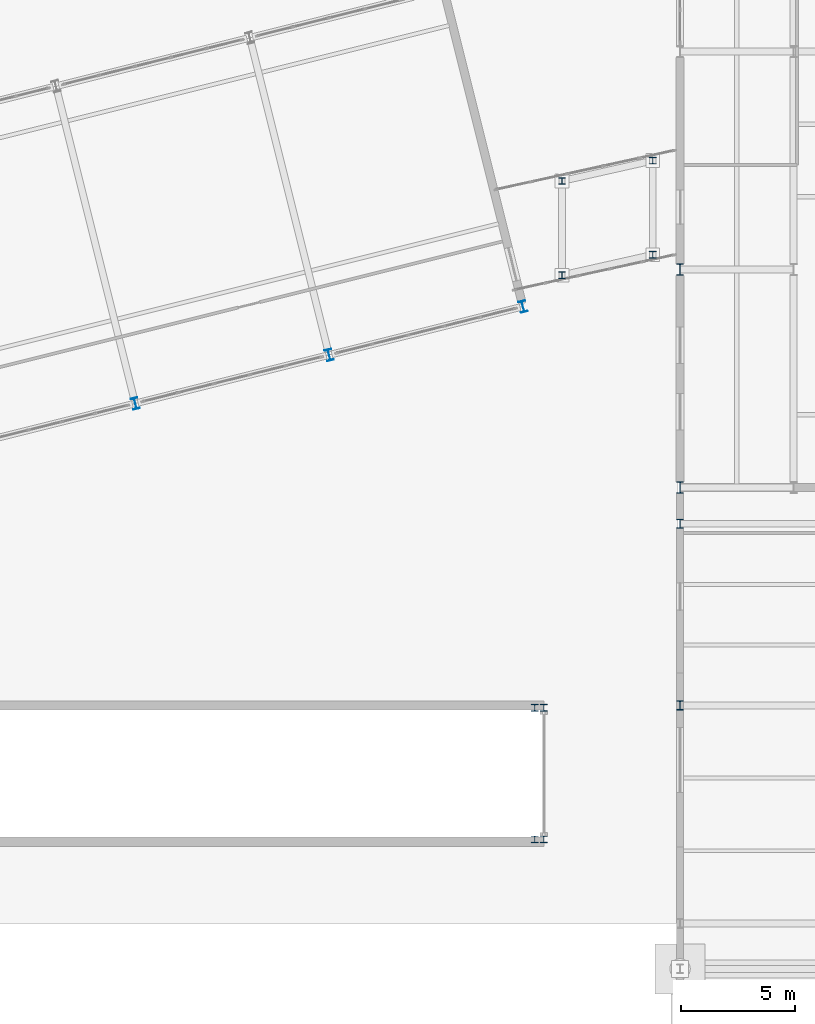
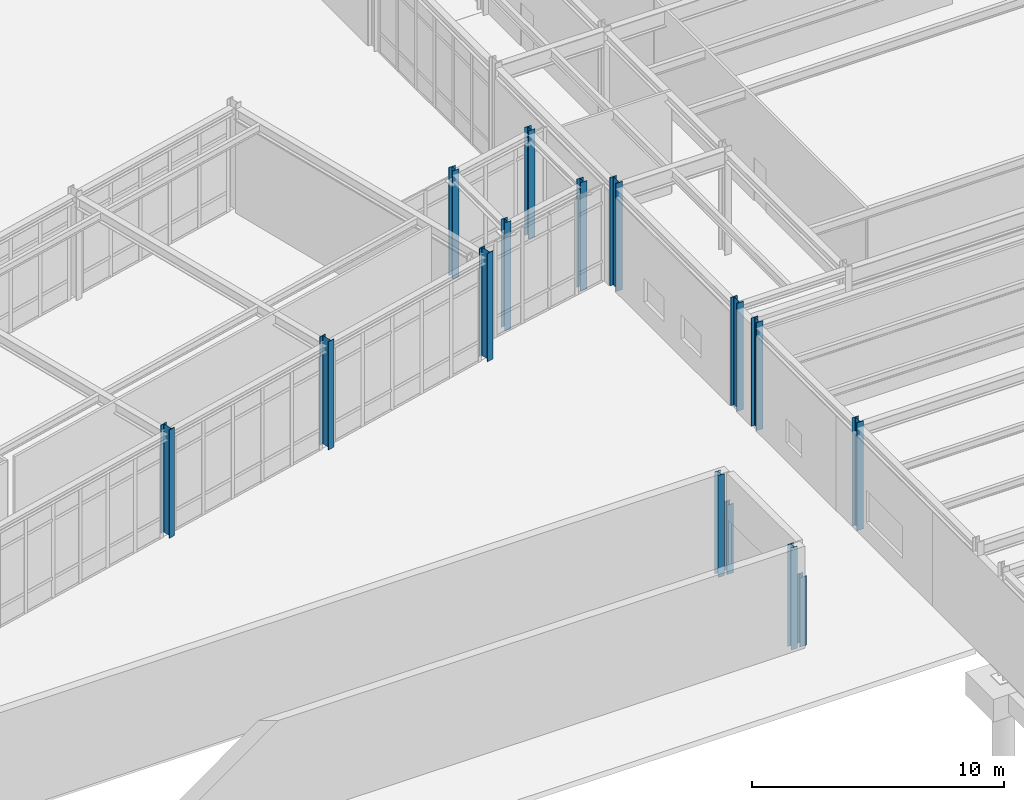
# One storey, part 10 of 109: 15 columns.
"""IFC4 building model written with IfcOpenShell, lengths in metres."""

from ifc_helpers import new_model, si_unit, direction, frame, origin, origin_2d, place, context, subcontext, project, spatial, i_section, extrude, material, material_profile, profile_set, type_object, element, save


model = new_model("IFC4")

# Units and contexts
model_context = context("Model", 3, precision=1e-05, world=origin(), true_north=direction((0.0, 1.0)))
body_context = subcontext(model_context, "Body", "Model", "MODEL_VIEW")
ifc_project = project(units=[si_unit("LENGTHUNIT", "METRE"), si_unit("AREAUNIT", "SQUARE_METRE"), si_unit("VOLUMEUNIT", "CUBIC_METRE"), si_unit("PLANEANGLEUNIT", "RADIAN"), si_unit("MASSUNIT", "GRAM", prefix="KILO")], contexts=[model_context])

# Site, building, storey
site_placement = place(None, origin())
site = spatial("IfcSite", under=ifc_project, at=site_placement, CompositionType="ELEMENT")
building_placement = place(site_placement, origin())
building = spatial("IfcBuilding", under=site, at=building_placement, Name="Nordkorset Police Headquarters", CompositionType="ELEMENT")
storey_placement = place(building_placement, origin())
storey = spatial("IfcBuildingStorey", under=building, at=storey_placement, Name="L00", CompositionType="ELEMENT", Elevation=0.0)

# Columns
ifc_material_1 = material(Name="Steel S355J2", Category="steel")
ifc_material_profile_1 = material_profile(ifc_material_1, i_section(OverallWidth=0.300048828125, OverallDepth=0.300048828125, WebThickness=0.010986328125, FlangeThickness=0.01904296875, FilletRadius=0.027099609375, at=origin_2d()), Name="HEB 300")
ifc_profile_set_1 = profile_set([ifc_material_profile_1], Name="Steel S355J2")
column_type_1 = type_object("IfcColumnType", Name="Col_HEB_300", PredefinedType="COLUMN", material=ifc_profile_set_1)
for number, where, z_axis, x_axis, name in (
    (1, (81.199951171875, 61.5, 0.0), (0.0, 0.0, 1.0), (1.0, 0.0, 0.0), "Courtyard Link Bridge Column BRG_E_W1 L00"),
    (2, (81.199951171875, 57.35009765625, 0.0), (0.0, 0.0, 1.0), (1.0, 0.0, 0.0), "Courtyard Link Bridge Column BRG_E_W2 L00"),
    (3, (85.199951171875, 62.39990234375, 0.0), (0.0, 0.0, 1.0), (1.0, 0.0, 0.0), "Courtyard Link Bridge Column BRG_E_E1 L00"),
    (4, (85.199951171875, 58.25, 0.0), (0.0, 0.0, 1.0), (1.0, 0.0, 0.0), "Courtyard Link Bridge Column BRG_E_E2 L00"),
):
    element("IfcColumn", number, at=place(storey_placement, frame(where, z_axis=z_axis, x_axis=x_axis)), inside=storey, type_object=column_type_1, Name=name, PredefinedType="COLUMN", context=body_context, shape_type="SweptSolid", body=[
        extrude(i_section(OverallWidth=0.300048828125, OverallDepth=0.300048828125, WebThickness=0.010986328125, FlangeThickness=0.01904296875, FilletRadius=0.027099609375, at=origin_2d()), origin(), (0.0, 0.0, 1.0), 5.25),
    ])
for number, where, z_axis, x_axis, name in (
    (5, (80.39990234375, 32.5, 0.0), (0.0, 0.0, 1.0), (1.0, 0.0, 0.0), "Portal Jamb Post L00 LNT-VG03-0"),
    (6, (80.39990234375, 38.300048828125, 0.0), (0.0, 0.0, 1.0), (1.0, 0.0, 0.0), "Portal Jamb Post L00 LNT-VG03-1"),
):
    element("IfcColumn", number, at=place(storey_placement, frame(where, z_axis=z_axis, x_axis=x_axis)), inside=storey, type_object=column_type_1, Name=name, PredefinedType="COLUMN", context=body_context, shape_type="SweptSolid", body=[
        extrude(i_section(OverallWidth=0.300048828125, OverallDepth=0.300048828125, WebThickness=0.010986328125, FlangeThickness=0.01904296875, FilletRadius=0.027099609375, at=origin_2d()), origin(), (0.0, 0.0, 1.0), 3.3701171875),
    ])
for number, where, z_axis, x_axis, name in (
    (7, (80.0, 32.5, 0.0), (0.0, 0.0, 1.0), (1.0, 0.0, 0.0), "Ramp Hood Column L00 2"),
    (8, (80.0, 38.300048828125, 0.0), (0.0, 0.0, 1.0), (1.0, 0.0, 0.0), "Ramp Hood Column L00 4"),
):
    element("IfcColumn", number, at=place(storey_placement, frame(where, z_axis=z_axis, x_axis=x_axis)), inside=storey, type_object=column_type_1, Name=name, PredefinedType="COLUMN", context=body_context, shape_type="SweptSolid", body=[
        extrude(i_section(OverallWidth=0.300048828125, OverallDepth=0.300048828125, WebThickness=0.010986328125, FlangeThickness=0.01904296875, FilletRadius=0.027099609375, at=origin_2d()), origin(), (0.0, 0.0, 1.0), 4.949951171875),
    ])
ifc_material_2 = material(Name="Steel S355J2", Category="steel")
ifc_material_profile_2 = material_profile(ifc_material_2, i_section(OverallWidth=0.300048828125, OverallDepth=0.39990234375, WebThickness=0.013427734375, FlangeThickness=0.02392578125, FilletRadius=0.027099609375, at=origin_2d()), Name="HEB 400")
ifc_profile_set_2 = profile_set([ifc_material_profile_2], Name="Steel S355J2")
column_type_2 = type_object("IfcColumnType", Name="Col_HEB_400", PredefinedType="COLUMN", material=ifc_profile_set_2)
for number, where, z_axis, x_axis, name in (
    (9, (86.39990234375, 38.39990234375, 0.0), (0.0, 0.0, 1.0), (1.0, 0.0, 0.0), "Structural Column SUB_C_6_0 L00"),
    (10, (86.39990234375, 46.39990234375, 0.0), (0.0, 0.0, 1.0), (1.0, 0.0, 0.0), "Structural Column V7_EC_0_464 L00"),
):
    element("IfcColumn", number, at=place(storey_placement, frame(where, z_axis=z_axis, x_axis=x_axis)), inside=storey, type_object=column_type_2, Name=name, PredefinedType="COLUMN", context=body_context, shape_type="SweptSolid", body=[
        extrude(i_section(OverallWidth=0.300048828125, OverallDepth=0.39990234375, WebThickness=0.013427734375, FlangeThickness=0.02392578125, FilletRadius=0.027099609375, at=origin_2d()), origin(), (0.0, 0.0, 1.0), 5.25),
    ])
ifc_material_3 = material(Name="Steel S355J2", Category="steel")
ifc_material_profile_3 = material_profile(ifc_material_3, i_section(OverallWidth=0.300048828125, OverallDepth=0.5, WebThickness=0.014404296875, FlangeThickness=0.028076171875, FilletRadius=0.027099609375, at=origin_2d()), Name="HEB 500")
ifc_profile_set_3 = profile_set([ifc_material_profile_3], Name="Steel S355J2")
column_type_3 = type_object("IfcColumnType", Name="Col_HEB_500", PredefinedType="COLUMN", material=ifc_profile_set_3)
for number, where, z_axis, x_axis, name in (
    (11, (86.39990234375, 48.0, 0.0), (0.0, 0.0, 1.0), (1.0, 0.0, 0.0), "Structural Column V5_X0_0 L00"),
    (12, (86.39990234375, 57.60009765625, 0.0), (0.0, 0.0, 1.0), (1.0, 0.0, 0.0), "Structural Column V5_X0_1 L00"),
    (13, (62.40576171875, 51.701416015625, 0.0), (0.0, 0.0, 1.0), (0.970142500145, 0.242535625038, 0.0), "Structural Column V4_U4_V0 L00"),
    (14, (70.94287109375, 53.835693359375, 0.0), (0.0, 0.0, 1.0), (0.970142500145, 0.242535625038, 0.0), "Structural Column V4_U5_V0 L00"),
    (15, (79.480224609375, 55.969970703125, 0.0), (0.0, 0.0, 1.0), (0.970142500145, 0.242535625038, 0.0), "Structural Column V4_U6_V0 L00"),
):
    element("IfcColumn", number, at=place(storey_placement, frame(where, z_axis=z_axis, x_axis=x_axis)), inside=storey, type_object=column_type_3, Name=name, PredefinedType="COLUMN", context=body_context, shape_type="SweptSolid", body=[
        extrude(i_section(OverallWidth=0.300048828125, OverallDepth=0.5, WebThickness=0.014404296875, FlangeThickness=0.028076171875, FilletRadius=0.027099609375, at=origin_2d()), origin(), (0.0, 0.0, 1.0), 5.25),
    ])

save(model, "model.ifc")
